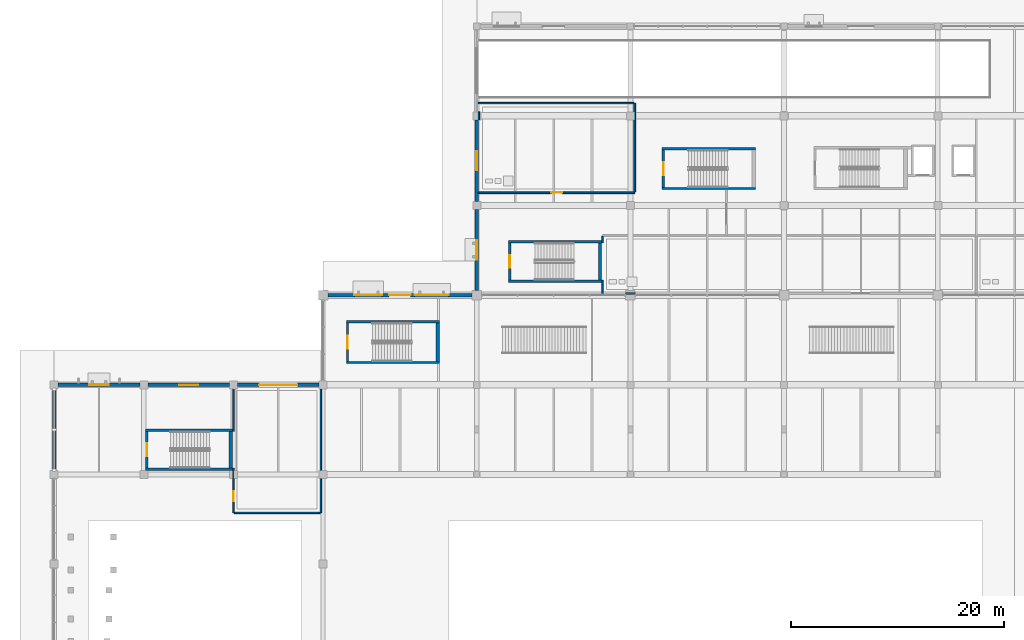
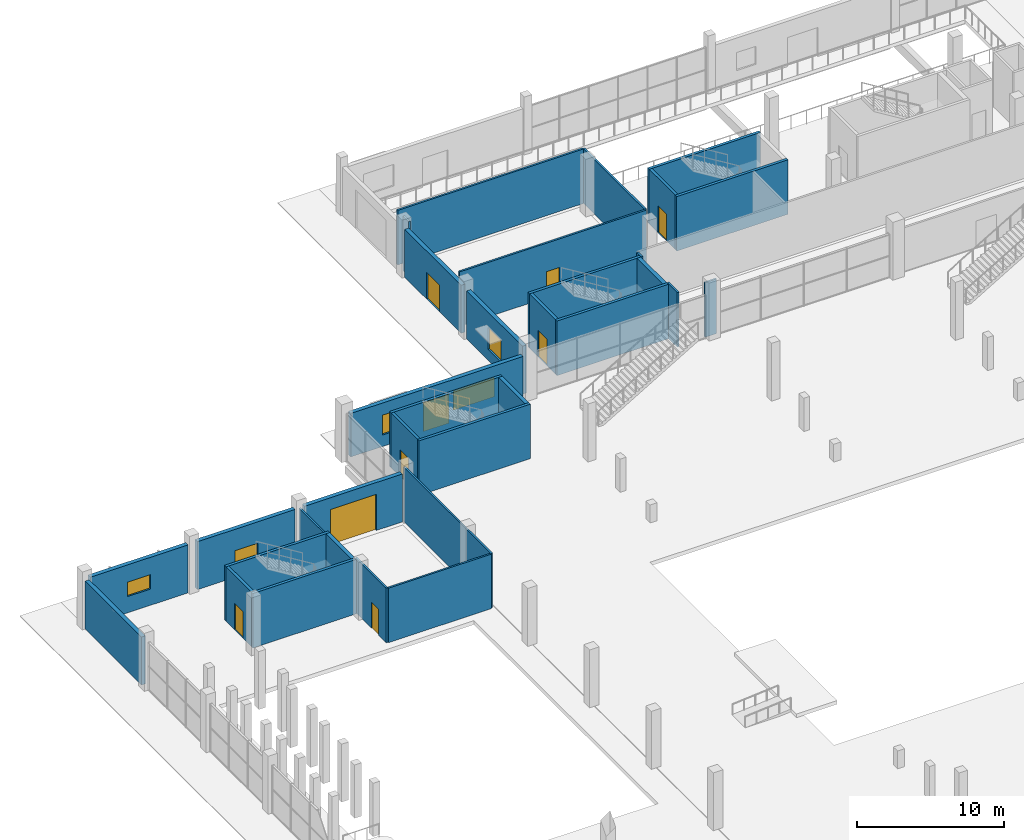
# One storey, part 93 of 130: 33 walls, 10 doors, 4 windows, 14 openings.
"""IFC4 building model written with IfcOpenShell, lengths in metres."""

from ifc_helpers import new_model, si_unit, direction, frame, frame_2d, origin, place, context, subcontext, project, spatial, rectangle, extrude, material, layer, layer_set, type_object, element, fill, save


model = new_model("IFC4")

# Units and contexts
model_context = context("Model", 3, precision=1e-05, world=origin(), true_north=direction((0.0, 1.0)))
body_context = subcontext(model_context, "Body", "Model", "MODEL_VIEW")
ifc_project = project(units=[si_unit("LENGTHUNIT", "METRE"), si_unit("AREAUNIT", "SQUARE_METRE"), si_unit("VOLUMEUNIT", "CUBIC_METRE"), si_unit("PLANEANGLEUNIT", "RADIAN"), si_unit("MASSUNIT", "GRAM", prefix="KILO"), si_unit("THERMODYNAMICTEMPERATUREUNIT", "KELVIN")], contexts=[model_context])

# Site, building, storey
site_placement = place(None, origin())
site = spatial("IfcSite", under=ifc_project, at=site_placement, CompositionType="ELEMENT")
building_placement = place(site_placement, origin())
building = spatial("IfcBuilding", under=site, at=building_placement, Name="Nduvali Passage Aquatics Centre", CompositionType="ELEMENT")
storey_placement = place(building_placement, origin())
storey = spatial("IfcBuildingStorey", under=building, at=storey_placement, Name="L00", CompositionType="ELEMENT", Elevation=0.0)

# Wall, opening, window
ifc_material_1 = material(Name="Coral-stone masonry blockwork", Category="masonry")
ifc_layer_1 = layer(ifc_material_1, 0.320068359375, Name="Coral-stone masonry blockwork")
ifc_layer_set_1 = layer_set([ifc_layer_1], Name="Coral-stone masonry blockwork")
wall_type_1 = type_object("IfcWallType", Name="ENV-WAL-CORAL320", PredefinedType="STANDARD", material=ifc_layer_set_1)
wall_1_placement = place(storey_placement, frame((8.02490234375, 84.0, 0.0), z_axis=(0.0, 0.0, 1.0), x_axis=(-1.0, 0.0, 0.0)))
wall_1 = element("IfcWall", 1, at=wall_1_placement, inside=storey, type_object=wall_type_1, Name="L00 Diving North Facade 0022", PredefinedType="STANDARD", context=body_context, shape_type="SweptSolid", body=[
    extrude(rectangle(XDim=7.64990234375, YDim=0.320068359375, at=frame_2d((3.824951171875, 0.0))), origin(), (0.0, 0.0, 1.0), 3.976318359375),
])
opening_1_placement = place(wall_1_placement, frame((2.925048828125, 0.0, 1.35009765625)))
opening_1 = element("IfcOpeningElement", 2, at=opening_1_placement, cuts=wall_1, Name="Opening W8", PredefinedType="OPENING", context=body_context, shape_type="SweptSolid", body=[
    extrude(rectangle(XDim=1.800048828125, YDim=1.199951171875, at=frame_2d((0.89990234375, 0.60009765625))), frame((0.0, 0.1748046875, 0.0), z_axis=(0.0, -1.0, 0.0), x_axis=(1.0, 0.0, 0.0)), (0.0, 0.0, 1.0), 0.349853515625),
])
ifc_material_2 = material(Name="Aluminium-framed solar-control low-E IGU", Category="aluminium")
window_type_1 = type_object("IfcWindowType", Name="ENV-WIN-W8", PartitioningType="SINGLE_PANEL", PredefinedType="WINDOW", material=ifc_material_2)
window_1_placement = place(opening_1_placement, origin())
window_1 = element("IfcWindow", 3, at=window_1_placement, inside=storey, type_object=window_type_1, Name="L00 Exterior Window W8-0036", OverallHeight=1.199951171875, OverallWidth=1.800048828125, PartitioningType="SINGLE_PANEL", PredefinedType="WINDOW", context=body_context, shape_type="SweptSolid", body=[
    extrude(rectangle(XDim=1.800048828125, YDim=1.199951171875, at=frame_2d((0.89990234375, 0.60009765625))), frame((0.0, 0.030029296875, 0.0), z_axis=(0.0, -1.0, 0.0), x_axis=(1.0, 0.0, 0.0)), (0.0, 0.0, 1.0), 0.06005859375),
])
fill(opening_1, window_1)

# Wall, opening, door
wall_2_placement = place(storey_placement, frame((16.425048828125, 84.0, 0.0), z_axis=(0.0, 0.0, 1.0), x_axis=(-1.0, 0.0, 0.0)))
wall_2 = element("IfcWall", 4, at=wall_2_placement, inside=storey, type_object=wall_type_1, Name="L00 Diving North Facade 0024", PredefinedType="STANDARD", context=body_context, shape_type="SweptSolid", body=[
    extrude(rectangle(XDim=7.650146484375, YDim=0.320068359375, at=frame_2d((3.8251953125, 0.0))), origin(), (0.0, 0.0, 1.0), 3.976318359375),
])
opening_2_placement = place(wall_2_placement, frame((2.925048828125, 0.0, 0.0)))
opening_2 = element("IfcOpeningElement", 5, at=opening_2_placement, cuts=wall_2, Name="Opening ED3", PredefinedType="OPENING", context=body_context, shape_type="SweptSolid", body=[
    extrude(rectangle(XDim=1.800048828125, YDim=2.199951171875, at=frame_2d((0.89990234375, 1.10009765625))), frame((0.0, 0.1748046875, 0.0), z_axis=(0.0, -1.0, 0.0), x_axis=(1.0, 0.0, 0.0)), (0.0, 0.0, 1.0), 0.349853515625),
])
ifc_material_3 = material(Name="Galvanised steel door", Category="steel")
door_type_1 = type_object("IfcDoorType", Name="ENV-DR-EX180", OperationType="DOUBLE_DOOR_SINGLE_SWING", PredefinedType="DOOR", material=ifc_material_3)
door_1_placement = place(opening_2_placement, frame((1.800048828125, 0.0, 0.0), z_axis=(0.0, 0.0, 1.0), x_axis=(-1.0, 0.0, 0.0)))
door_1 = element("IfcDoor", 6, at=door_1_placement, inside=storey, type_object=door_type_1, Name="L00 Exterior Exit Door ED3-006", OperationType="DOUBLE_DOOR_SINGLE_SWING", OverallHeight=2.199951171875, OverallWidth=1.800048828125, PredefinedType="DOOR", context=body_context, shape_type="SweptSolid", body=[
    extrude(rectangle(XDim=1.800048828125, YDim=2.199951171875, at=frame_2d((0.89990234375, 1.10009765625))), frame((0.0, 0.02490234375, 0.0), z_axis=(0.0, -1.0, 0.0), x_axis=(1.0, 0.0, 0.0)), (0.0, 0.0, 1.0), 0.050048828125),
])
fill(opening_2, door_1)

wall_3_placement = place(storey_placement, frame((24.824951171875, 84.0, 0.0), z_axis=(0.0, 0.0, 1.0), x_axis=(-1.0, 0.0, 0.0)))
wall_3 = element("IfcWall", 7, at=wall_3_placement, inside=storey, type_object=wall_type_1, Name="L00 Diving North Facade 0026", PredefinedType="STANDARD", context=body_context, shape_type="SweptSolid", body=[
    extrude(rectangle(XDim=7.64990234375, YDim=0.320068359375, at=frame_2d((3.824951171875, 0.0))), origin(), (0.0, 0.0, 1.0), 3.976318359375),
])
opening_3_placement = place(wall_3_placement, frame((2.02490234375, 0.0, 0.0)))
opening_3 = element("IfcOpeningElement", 8, at=opening_3_placement, cuts=wall_3, Name="Opening SG1", PredefinedType="OPENING", context=body_context, shape_type="SweptSolid", body=[
    extrude(rectangle(XDim=3.60009765625, YDim=3.0, at=frame_2d((1.800048828125, 1.5))), frame((0.0, 0.1748046875, 0.0), z_axis=(0.0, -1.0, 0.0), x_axis=(1.0, 0.0, 0.0)), (0.0, 0.0, 1.0), 0.349853515625),
])
ifc_material_4 = material(Name="Galvanised steel roller shutter", Category="steel")
door_type_2 = type_object("IfcDoorType", Name="ENV-GT-SG360", OperationType="ROLLINGUP", PredefinedType="GATE", material=ifc_material_4)
door_2_placement = place(opening_3_placement, frame((3.60009765625, 0.0, 0.0), z_axis=(0.0, 0.0, 1.0), x_axis=(-1.0, 0.0, 0.0)))
door_2 = element("IfcDoor", 9, at=door_2_placement, inside=storey, type_object=door_type_2, Name="L00 Exterior Exit Door SG1-007", OperationType="ROLLINGUP", OverallHeight=3.0, OverallWidth=3.60009765625, PredefinedType="GATE", context=body_context, shape_type="SweptSolid", body=[
    extrude(rectangle(XDim=3.60009765625, YDim=3.0, at=frame_2d((1.800048828125, 1.5))), frame((0.0, 0.02490234375, 0.0), z_axis=(0.0, -1.0, 0.0), x_axis=(1.0, 0.0, 0.0)), (0.0, 0.0, 1.0), 0.050048828125),
])
fill(opening_3, door_2)

# Wall
wall_4_placement = place(storey_placement, frame((0.0, 83.625, 0.0), z_axis=(0.0, 0.0, 1.0), x_axis=(0.0, -1.0, 0.0)))
element("IfcWall", 10, at=wall_4_placement, inside=storey, type_object=wall_type_1, Name="L00 Diving West Facade 0028", PredefinedType="STANDARD", context=body_context, shape_type="SweptSolid", body=[
    extrude(rectangle(XDim=7.64990234375, YDim=0.320068359375, at=frame_2d((3.824951171875, 0.0))), origin(), (0.0, 0.0, 1.0), 3.976318359375),
])

# Wall, openings, door, windows
wall_5_placement = place(storey_placement, frame((39.14990234375, 92.39990234375, 0.0), z_axis=(0.0, 0.0, 1.0), x_axis=(-1.0, 0.0, 0.0)))
wall_5 = element("IfcWall", 11, at=wall_5_placement, inside=storey, type_object=wall_type_1, Name="L00 External Coral-Stone Wall 0046", PredefinedType="STANDARD", context=body_context, shape_type="SweptSolid", body=[
    extrude(rectangle(XDim=13.5, YDim=0.320068359375, at=frame_2d((6.75, 0.0))), origin(), (0.0, 0.0, 1.0), 3.605712890625),
])
opening_4_placement = place(wall_5_placement, frame((5.75, 0.0, 0.0)))
opening_4 = element("IfcOpeningElement", 12, at=opening_4_placement, cuts=wall_5, Name="Opening ED2", PredefinedType="OPENING", context=body_context, shape_type="SweptSolid", body=[
    extrude(rectangle(XDim=2.0, YDim=2.39990234375, at=frame_2d((1.0, 1.199951171875))), frame((0.0, 0.1748046875, 0.0), z_axis=(0.0, -1.0, 0.0), x_axis=(1.0, 0.0, 0.0)), (0.0, 0.0, 1.0), 0.349853515625),
])
opening_5_placement = place(wall_5_placement, frame((2.179931640625, 0.0, 0.949951171875)))
opening_5 = element("IfcOpeningElement", 13, at=opening_5_placement, cuts=wall_5, Name="Opening W10", PredefinedType="OPENING", context=body_context, shape_type="SweptSolid", body=[
    extrude(rectangle(XDim=3.199951171875, YDim=1.60009765625, at=frame_2d((1.60009765625, 0.800048828125))), frame((0.0, 0.1748046875, 0.0), z_axis=(0.0, -1.0, 0.0), x_axis=(1.0, 0.0, 0.0)), (0.0, 0.0, 1.0), 0.349853515625),
])
opening_6_placement = place(wall_5_placement, frame((8.419921875, 0.0, 0.949951171875)))
opening_6 = element("IfcOpeningElement", 14, at=opening_6_placement, cuts=wall_5, Name="Opening W17", PredefinedType="OPENING", context=body_context, shape_type="SweptSolid", body=[
    extrude(rectangle(XDim=2.60009765625, YDim=1.64990234375, at=frame_2d((1.300048828125, 0.824951171875))), frame((0.0, 0.1748046875, 0.0), z_axis=(0.0, -1.0, 0.0), x_axis=(1.0, 0.0, 0.0)), (0.0, 0.0, 1.0), 0.349853515625),
])
ifc_material_5 = material(Name="Aluminium-framed glazed door", Category="aluminium")
door_type_3 = type_object("IfcDoorType", Name="ENV-DR-EX200", OperationType="DOUBLE_DOOR_SINGLE_SWING", PredefinedType="DOOR", material=ifc_material_5)
door_3_placement = place(opening_4_placement, frame((2.0, 0.0, 0.0), z_axis=(0.0, 0.0, 1.0), x_axis=(-1.0, 0.0, 0.0)))
door_3 = element("IfcDoor", 15, at=door_3_placement, inside=storey, type_object=door_type_3, Name="L00 Exterior Exit Door ED2-009", OperationType="DOUBLE_DOOR_SINGLE_SWING", OverallHeight=2.39990234375, OverallWidth=2.0, PredefinedType="DOOR", context=body_context, shape_type="SweptSolid", body=[
    extrude(rectangle(XDim=2.0, YDim=2.39990234375, at=frame_2d((1.0, 1.199951171875))), frame((0.0, 0.02490234375, 0.0), z_axis=(0.0, -1.0, 0.0), x_axis=(1.0, 0.0, 0.0)), (0.0, 0.0, 1.0), 0.050048828125),
])
fill(opening_4, door_3)
window_type_2 = type_object("IfcWindowType", Name="ENV-WIN-W10", PartitioningType="SINGLE_PANEL", PredefinedType="WINDOW", material=ifc_material_2)
window_2_placement = place(opening_5_placement, origin())
window_2 = element("IfcWindow", 16, at=window_2_placement, inside=storey, type_object=window_type_2, Name="L00 Exterior Window W10-0052", OverallHeight=1.60009765625, OverallWidth=3.199951171875, PartitioningType="SINGLE_PANEL", PredefinedType="WINDOW", context=body_context, shape_type="SweptSolid", body=[
    extrude(rectangle(XDim=3.199951171875, YDim=1.60009765625, at=frame_2d((1.60009765625, 0.800048828125))), frame((0.0, 0.030029296875, 0.0), z_axis=(0.0, -1.0, 0.0), x_axis=(1.0, 0.0, 0.0)), (0.0, 0.0, 1.0), 0.06005859375),
])
fill(opening_5, window_2)
window_type_3 = type_object("IfcWindowType", Name="ENV-WIN-W17", PartitioningType="SINGLE_PANEL", PredefinedType="WINDOW", material=ifc_material_2)
window_3_placement = place(opening_6_placement, origin())
window_3 = element("IfcWindow", 17, at=window_3_placement, inside=storey, type_object=window_type_3, Name="L00 Exterior Window W17-0053", OverallHeight=1.64990234375, OverallWidth=2.60009765625, PartitioningType="SINGLE_PANEL", PredefinedType="WINDOW", context=body_context, shape_type="SweptSolid", body=[
    extrude(rectangle(XDim=2.60009765625, YDim=1.64990234375, at=frame_2d((1.300048828125, 0.824951171875))), frame((0.0, 0.030029296875, 0.0), z_axis=(0.0, -1.0, 0.0), x_axis=(1.0, 0.0, 0.0)), (0.0, 0.0, 1.0), 0.06005859375),
])
fill(opening_6, window_3)

# Wall, opening, window
wall_6_placement = place(storey_placement, frame((39.60009765625, 100.425048828125, 0.0), z_axis=(0.0, 0.0, 1.0), x_axis=(0.0, -1.0, 0.0)))
wall_6 = element("IfcWall", 18, at=wall_6_placement, inside=storey, type_object=wall_type_1, Name="L00 North Wing West Stepped Facade 0054", PredefinedType="STANDARD", context=body_context, shape_type="SweptSolid", body=[
    extrude(rectangle(XDim=7.574951171875, YDim=0.320068359375, at=frame_2d((3.78759765625, 0.0))), origin(), (0.0, 0.0, 1.0), 3.976318359375),
])
opening_7_placement = place(wall_6_placement, frame((2.887939453125, 0.0, 0.89990234375)))
opening_7 = element("IfcOpeningElement", 19, at=opening_7_placement, cuts=wall_6, Name="Opening W2", PredefinedType="OPENING", context=body_context, shape_type="SweptSolid", body=[
    extrude(rectangle(XDim=1.800048828125, YDim=1.800048828125, at=frame_2d((0.89990234375, 0.89990234375))), frame((0.0, 0.1748046875, 0.0), z_axis=(0.0, -1.0, 0.0), x_axis=(1.0, 0.0, 0.0)), (0.0, 0.0, 1.0), 0.349853515625),
])
window_type_4 = type_object("IfcWindowType", Name="ENV-WIN-W2", PartitioningType="SINGLE_PANEL", PredefinedType="WINDOW", material=ifc_material_2)
window_4_placement = place(opening_7_placement, origin())
window_4 = element("IfcWindow", 20, at=window_4_placement, inside=storey, type_object=window_type_4, Name="L00 Exterior Window W2-0058", OverallHeight=1.800048828125, OverallWidth=1.800048828125, PartitioningType="SINGLE_PANEL", PredefinedType="WINDOW", context=body_context, shape_type="SweptSolid", body=[
    extrude(rectangle(XDim=1.800048828125, YDim=1.800048828125, at=frame_2d((0.89990234375, 0.89990234375))), frame((0.0, 0.030029296875, 0.0), z_axis=(0.0, -1.0, 0.0), x_axis=(1.0, 0.0, 0.0)), (0.0, 0.0, 1.0), 0.06005859375),
])
fill(opening_7, window_4)

# Wall, opening, door
wall_7_placement = place(storey_placement, frame((39.60009765625, 108.824951171875, 0.0), z_axis=(0.0, 0.0, 1.0), x_axis=(0.0, -1.0, 0.0)))
wall_7 = element("IfcWall", 21, at=wall_7_placement, inside=storey, type_object=wall_type_1, Name="L00 North Wing West Stepped Facade 0055", PredefinedType="STANDARD", context=body_context, shape_type="SweptSolid", body=[
    extrude(rectangle(XDim=7.64990234375, YDim=0.320068359375, at=frame_2d((3.824951171875, 0.0))), origin(), (0.0, 0.0, 1.0), 3.976318359375),
])
opening_8_placement = place(wall_7_placement, frame((2.925048828125, 0.0, 0.0)))
opening_8 = element("IfcOpeningElement", 22, at=opening_8_placement, cuts=wall_7, Name="Opening ED3", PredefinedType="OPENING", context=body_context, shape_type="SweptSolid", body=[
    extrude(rectangle(XDim=1.800048828125, YDim=2.199951171875, at=frame_2d((0.89990234375, 1.10009765625))), frame((0.0, 0.1748046875, 0.0), z_axis=(0.0, -1.0, 0.0), x_axis=(1.0, 0.0, 0.0)), (0.0, 0.0, 1.0), 0.349853515625),
])
door_4_placement = place(opening_8_placement, frame((1.800048828125, 0.0, 0.0), z_axis=(0.0, 0.0, 1.0), x_axis=(-1.0, 0.0, 0.0)))
door_4 = element("IfcDoor", 23, at=door_4_placement, inside=storey, type_object=door_type_1, Name="L00 Exterior Exit Door ED3-016", OperationType="DOUBLE_DOOR_SINGLE_SWING", OverallHeight=2.199951171875, OverallWidth=1.800048828125, PredefinedType="DOOR", context=body_context, shape_type="SweptSolid", body=[
    extrude(rectangle(XDim=1.800048828125, YDim=2.199951171875, at=frame_2d((0.89990234375, 1.10009765625))), frame((0.0, 0.02490234375, 0.0), z_axis=(0.0, -1.0, 0.0), x_axis=(1.0, 0.0, 0.0)), (0.0, 0.0, 1.0), 0.050048828125),
])
fill(opening_8, door_4)

# Walls
ifc_material_6 = material(Name="Concrete C40/50", Category="concrete")
ifc_layer_2 = layer(ifc_material_6, 0.219970703125, Name="Concrete C40/50")
ifc_layer_set_2 = layer_set([ifc_layer_2], Name="Concrete C40/50")
wall_type_2 = type_object("IfcWallType", Name="INT-WAL-CORE220", PredefinedType="SOLIDWALL", material=ifc_layer_set_2)
for number, where, z_axis, x_axis, name in (
    (24, (56.97998046875, 102.389892578125, 0.0), (0.0, 0.0, 1.0), (1.0, 0.0, 0.0), "L00 Stair ST3 Core Wall S"),
    (25, (65.699951171875, 106.1201171875, 0.0), (0.0, 0.0, 1.0), (-1.0, 0.0, 0.0), "L00 Stair ST3 Core Wall N"),
):
    element("IfcWall", number, at=place(storey_placement, frame(where, z_axis=z_axis, x_axis=x_axis)), inside=storey, type_object=wall_type_2, Name=name, PredefinedType="SOLIDWALL", context=body_context, shape_type="SweptSolid", body=[
        extrude(rectangle(XDim=8.719970703125, YDim=0.219970703125, at=frame_2d((4.35986328125, 0.0))), origin(), (0.0, 0.0, 1.0), 4.52001953125),
    ])

# Wall, opening, door
wall_8_placement = place(storey_placement, frame((57.090087890625, 106.010009765625, 0.0), z_axis=(0.0, 0.0, 1.0), x_axis=(0.0, -1.0, 0.0)))
wall_8 = element("IfcWall", 26, at=wall_8_placement, inside=storey, type_object=wall_type_2, Name="L00 Stair ST3 Core Wall W", PredefinedType="SOLIDWALL", context=body_context, shape_type="SweptSolid", body=[
    extrude(rectangle(XDim=3.510009765625, YDim=0.219970703125, at=frame_2d((1.7548828125, 0.0))), origin(), (0.0, 0.0, 1.0), 4.52001953125),
])
opening_9_placement = place(wall_8_placement, frame((1.155029296875, 0.0, 0.0)))
opening_9 = element("IfcOpeningElement", 27, at=opening_9_placement, cuts=wall_8, Name="Opening FD-ST2", PredefinedType="OPENING", context=body_context, shape_type="SweptSolid", body=[
    extrude(rectangle(XDim=1.199951171875, YDim=2.199951171875, at=frame_2d((0.60009765625, 1.10009765625))), frame((0.0, 0.125, 0.0), z_axis=(0.0, -1.0, 0.0), x_axis=(1.0, 0.0, 0.0)), (0.0, 0.0, 1.0), 0.249755859375),
])
door_type_4 = type_object("IfcDoorType", Name="INT-DR-ST120", OperationType="NOTDEFINED", PredefinedType="DOOR", material=ifc_material_3)
door_5_placement = place(opening_9_placement, origin())
door_5 = element("IfcDoor", 28, at=door_5_placement, inside=storey, type_object=door_type_4, Name="L00 Stair ST3 Fire Lobby Door", OperationType="SINGLE_SWING_RIGHT", OverallHeight=2.199951171875, OverallWidth=1.199951171875, PredefinedType="DOOR", context=body_context, shape_type="SweptSolid", body=[
    extrude(rectangle(XDim=1.199951171875, YDim=2.199951171875, at=frame_2d((0.60009765625, 1.10009765625))), frame((0.0, 0.02490234375, 0.0), z_axis=(0.0, -1.0, 0.0), x_axis=(1.0, 0.0, 0.0)), (0.0, 0.0, 1.0), 0.050048828125),
])
fill(opening_9, door_5)

# Walls
for number, where, z_axis, x_axis, name in (
    (29, (42.580078125, 93.68994140625, 0.0), (0.0, 0.0, 1.0), (1.0, 0.0, 0.0), "L00 Stair ST4 Core Wall S"),
    (30, (51.300048828125, 97.419921875, 0.0), (0.0, 0.0, 1.0), (-1.0, 0.0, 0.0), "L00 Stair ST4 Core Wall N"),
):
    element("IfcWall", number, at=place(storey_placement, frame(where, z_axis=z_axis, x_axis=x_axis)), inside=storey, type_object=wall_type_2, Name=name, PredefinedType="SOLIDWALL", context=body_context, shape_type="SweptSolid", body=[
        extrude(rectangle(XDim=8.719970703125, YDim=0.219970703125, at=frame_2d((4.35986328125, 0.0))), origin(), (0.0, 0.0, 1.0), 4.52001953125),
    ])

# Wall, opening, door
wall_9_placement = place(storey_placement, frame((42.68994140625, 97.31005859375, 0.0), z_axis=(0.0, 0.0, 1.0), x_axis=(0.0, -1.0, 0.0)))
wall_9 = element("IfcWall", 31, at=wall_9_placement, inside=storey, type_object=wall_type_2, Name="L00 Stair ST4 Core Wall W", PredefinedType="SOLIDWALL", context=body_context, shape_type="SweptSolid", body=[
    extrude(rectangle(XDim=3.510009765625, YDim=0.219970703125, at=frame_2d((1.7548828125, 0.0))), origin(), (0.0, 0.0, 1.0), 4.52001953125),
])
opening_10_placement = place(wall_9_placement, frame((1.155029296875, 0.0, 0.0)))
opening_10 = element("IfcOpeningElement", 32, at=opening_10_placement, cuts=wall_9, Name="Opening FD-ST2", PredefinedType="OPENING", context=body_context, shape_type="SweptSolid", body=[
    extrude(rectangle(XDim=1.199951171875, YDim=2.199951171875, at=frame_2d((0.60009765625, 1.10009765625))), frame((0.0, 0.125, 0.0), z_axis=(0.0, -1.0, 0.0), x_axis=(1.0, 0.0, 0.0)), (0.0, 0.0, 1.0), 0.249755859375),
])
door_6_placement = place(opening_10_placement, origin())
door_6 = element("IfcDoor", 33, at=door_6_placement, inside=storey, type_object=door_type_4, Name="L00 Stair ST4 Fire Lobby Door", OperationType="SINGLE_SWING_RIGHT", OverallHeight=2.199951171875, OverallWidth=1.199951171875, PredefinedType="DOOR", context=body_context, shape_type="SweptSolid", body=[
    extrude(rectangle(XDim=1.199951171875, YDim=2.199951171875, at=frame_2d((0.60009765625, 1.10009765625))), frame((0.0, 0.02490234375, 0.0), z_axis=(0.0, -1.0, 0.0), x_axis=(1.0, 0.0, 0.0)), (0.0, 0.0, 1.0), 0.050048828125),
])
fill(opening_10, door_6)

# Walls
for number, where, z_axis, x_axis, name in (
    (34, (27.3798828125, 86.090087890625, 0.0), (0.0, 0.0, 1.0), (1.0, 0.0, 0.0), "L00 Stair ST10 Core Wall S"),
    (35, (36.10009765625, 89.89990234375, 0.0), (0.0, 0.0, 1.0), (-1.0, 0.0, 0.0), "L00 Stair ST10 Core Wall N"),
):
    element("IfcWall", number, at=place(storey_placement, frame(where, z_axis=z_axis, x_axis=x_axis)), inside=storey, type_object=wall_type_2, Name=name, PredefinedType="SOLIDWALL", context=body_context, shape_type="SweptSolid", body=[
        extrude(rectangle(XDim=8.72021484375, YDim=0.219970703125, at=frame_2d((4.360107421875, 0.0))), origin(), (0.0, 0.0, 1.0), 4.52001953125),
    ])

# Wall, opening, door
wall_10_placement = place(storey_placement, frame((27.489990234375, 89.7900390625, 0.0), z_axis=(0.0, 0.0, 1.0), x_axis=(0.0, -1.0, 0.0)))
wall_10 = element("IfcWall", 36, at=wall_10_placement, inside=storey, type_object=wall_type_2, Name="L00 Stair ST10 Core Wall W", PredefinedType="SOLIDWALL", context=body_context, shape_type="SweptSolid", body=[
    extrude(rectangle(XDim=3.590087890625, YDim=0.219970703125, at=frame_2d((1.794921875, 0.0))), origin(), (0.0, 0.0, 1.0), 4.52001953125),
])
opening_11_placement = place(wall_10_placement, frame((1.195068359375, 0.0, 0.0)))
opening_11 = element("IfcOpeningElement", 37, at=opening_11_placement, cuts=wall_10, Name="Opening FD-ST2", PredefinedType="OPENING", context=body_context, shape_type="SweptSolid", body=[
    extrude(rectangle(XDim=1.199951171875, YDim=2.199951171875, at=frame_2d((0.60009765625, 1.10009765625))), frame((0.0, 0.125, 0.0), z_axis=(0.0, -1.0, 0.0), x_axis=(1.0, 0.0, 0.0)), (0.0, 0.0, 1.0), 0.249755859375),
])
door_7_placement = place(opening_11_placement, origin())
door_7 = element("IfcDoor", 38, at=door_7_placement, inside=storey, type_object=door_type_4, Name="L00 Stair ST10 Fire Lobby Door", OperationType="SINGLE_SWING_LEFT", OverallHeight=2.199951171875, OverallWidth=1.199951171875, PredefinedType="DOOR", context=body_context, shape_type="SweptSolid", body=[
    extrude(rectangle(XDim=1.199951171875, YDim=2.199951171875, at=frame_2d((0.60009765625, 1.10009765625))), frame((0.0, 0.02490234375, 0.0), z_axis=(0.0, -1.0, 0.0), x_axis=(1.0, 0.0, 0.0)), (0.0, 0.0, 1.0), 0.050048828125),
])
fill(opening_11, door_7)

# Walls
for number, where, z_axis, x_axis, name in (
    (39, (8.580078125, 76.090087890625, 0.0), (0.0, 0.0, 1.0), (1.0, 0.0, 0.0), "L00 Stair ST12 Core Wall S"),
    (40, (16.699951171875, 79.739990234375, 0.0), (0.0, 0.0, 1.0), (-1.0, 0.0, 0.0), "L00 Stair ST12 Core Wall N"),
):
    element("IfcWall", number, at=place(storey_placement, frame(where, z_axis=z_axis, x_axis=x_axis)), inside=storey, type_object=wall_type_2, Name=name, PredefinedType="SOLIDWALL", context=body_context, shape_type="SweptSolid", body=[
        extrude(rectangle(XDim=8.119873046875, YDim=0.219970703125, at=frame_2d((4.06005859375, 0.0))), origin(), (0.0, 0.0, 1.0), 4.52001953125),
    ])

# Wall, opening, door
wall_11_placement = place(storey_placement, frame((8.68994140625, 79.6298828125, 0.0), z_axis=(0.0, 0.0, 1.0), x_axis=(0.0, -1.0, 0.0)))
wall_11 = element("IfcWall", 41, at=wall_11_placement, inside=storey, type_object=wall_type_2, Name="L00 Stair ST12 Core Wall W", PredefinedType="SOLIDWALL", context=body_context, shape_type="SweptSolid", body=[
    extrude(rectangle(XDim=3.429931640625, YDim=0.219970703125, at=frame_2d((1.71484375, 0.0))), origin(), (0.0, 0.0, 1.0), 4.52001953125),
])
opening_12_placement = place(wall_11_placement, frame((1.114990234375, 0.0, 0.0)))
opening_12 = element("IfcOpeningElement", 42, at=opening_12_placement, cuts=wall_11, Name="Opening FD-ST2", PredefinedType="OPENING", context=body_context, shape_type="SweptSolid", body=[
    extrude(rectangle(XDim=1.199951171875, YDim=2.199951171875, at=frame_2d((0.60009765625, 1.10009765625))), frame((0.0, 0.125, 0.0), z_axis=(0.0, -1.0, 0.0), x_axis=(1.0, 0.0, 0.0)), (0.0, 0.0, 1.0), 0.249755859375),
])
door_8_placement = place(opening_12_placement, origin())
door_8 = element("IfcDoor", 43, at=door_8_placement, inside=storey, type_object=door_type_4, Name="L00 Stair ST12 Fire Lobby Door", OperationType="SINGLE_SWING_LEFT", OverallHeight=2.199951171875, OverallWidth=1.199951171875, PredefinedType="DOOR", context=body_context, shape_type="SweptSolid", body=[
    extrude(rectangle(XDim=1.199951171875, YDim=2.199951171875, at=frame_2d((0.60009765625, 1.10009765625))), frame((0.0, 0.02490234375, 0.0), z_axis=(0.0, -1.0, 0.0), x_axis=(1.0, 0.0, 0.0)), (0.0, 0.0, 1.0), 0.050048828125),
])
fill(opening_12, door_8)

ifc_material_7 = material(Name="Gypsum acoustic stud partition")
ifc_layer_3 = layer(ifc_material_7, 0.139892578125, Name="Gypsum acoustic stud partition")
ifc_layer_set_3 = layer_set([ifc_layer_3], Name="Gypsum acoustic stud partition")
wall_type_3 = type_object("IfcWallType", Name="INT-WAL-PART140", PredefinedType="PARTITIONING", material=ifc_layer_set_3)
wall_12_placement = place(storey_placement, frame((16.800048828125, 72.0, 0.0), z_axis=(0.0, 0.0, 1.0), x_axis=(0.0, 1.0, 0.0)))
wall_12 = element("IfcWall", 44, at=wall_12_placement, inside=storey, type_object=wall_type_3, Name="L00 Dryland Dive Trampoline and Harness Training Room Partition 0039", PredefinedType="PARTITIONING", context=body_context, shape_type="SweptSolid", body=[
    extrude(rectangle(XDim=4.199951171875, YDim=0.139892578125, at=frame_2d((2.10009765625, 0.0))), origin(), (0.0, 0.0, 1.0), 4.52001953125),
])
opening_13_placement = place(wall_12_placement, frame((1.076904296875, 0.0, 0.0)))
opening_13 = element("IfcOpeningElement", 45, at=opening_13_placement, cuts=wall_12, Name="Opening ID2", PredefinedType="OPENING", context=body_context, shape_type="SweptSolid", body=[
    extrude(rectangle(XDim=0.949951171875, YDim=2.14990234375, at=frame_2d((0.47509765625, 1.074951171875))), frame((0.0, 0.0849609375, 0.0), z_axis=(0.0, -1.0, 0.0), x_axis=(1.0, 0.0, 0.0)), (0.0, 0.0, 1.0), 0.169677734375),
])
ifc_material_8 = material(Name="Timber solid-core door", Category="wood")
door_type_5 = type_object("IfcDoorType", Name="INT-DR-STD95", OperationType="NOTDEFINED", PredefinedType="DOOR", material=ifc_material_8)
door_9_placement = place(opening_13_placement, origin())
door_9 = element("IfcDoor", 46, at=door_9_placement, inside=storey, type_object=door_type_5, Name="L00 Dryland Dive Trampoline and Harness Training Room Door 0014", OperationType="SINGLE_SWING_LEFT", OverallHeight=2.14990234375, OverallWidth=0.949951171875, PredefinedType="DOOR", context=body_context, shape_type="SweptSolid", body=[
    extrude(rectangle(XDim=0.949951171875, YDim=2.14990234375, at=frame_2d((0.47509765625, 1.074951171875))), frame((0.0, 0.02490234375, 0.0), z_axis=(0.0, -1.0, 0.0), x_axis=(1.0, 0.0, 0.0)), (0.0, 0.0, 1.0), 0.050048828125),
])
fill(opening_13, door_9)

# Walls
wall_13_placement = place(storey_placement, frame((16.800048828125, 79.6298828125, 0.0), z_axis=(0.0, 0.0, 1.0), x_axis=(0.0, 1.0, 0.0)))
element("IfcWall", 47, at=wall_13_placement, inside=storey, type_object=wall_type_3, Name="L00 Dryland Dive Trampoline and Harness Training Room Partition 0040", PredefinedType="PARTITIONING", context=body_context, shape_type="SweptSolid", body=[
    extrude(rectangle(XDim=4.210205078125, YDim=0.139892578125, at=frame_2d((2.10498046875, 0.0))), origin(), (0.0, 0.0, 1.0), 3.976318359375),
])
wall_14_placement = place(storey_placement, frame((25.0, 72.0, 0.0), z_axis=(0.0, 0.0, 1.0), x_axis=(0.0, 1.0, 0.0)))
element("IfcWall", 48, at=wall_14_placement, inside=storey, type_object=wall_type_3, Name="L00 Dryland Dive Trampoline and Harness Training Room Partition 0041", PredefinedType="PARTITIONING", context=body_context, shape_type="SweptSolid", body=[
    extrude(rectangle(XDim=11.840087890625, YDim=0.139892578125, at=frame_2d((5.919921875, 0.0))), origin(), (0.0, 0.0, 1.0), 4.52001953125),
])
wall_15_placement = place(storey_placement, frame((16.8701171875, 72.0, 0.0), z_axis=(0.0, 0.0, 1.0), x_axis=(1.0, 0.0, 0.0)))
element("IfcWall", 49, at=wall_15_placement, inside=storey, type_object=wall_type_3, Name="L00 Dryland Dive Trampoline and Harness Training Room Partition 0042", PredefinedType="PARTITIONING", context=body_context, shape_type="SweptSolid", body=[
    extrude(rectangle(XDim=8.059814453125, YDim=0.139892578125, at=frame_2d((4.02978515625, 0.0))), origin(), (0.0, 0.0, 1.0), 4.52001953125),
])
ifc_layer_4 = layer(ifc_material_1, 0.14990234375, Name="Coral-stone masonry blockwork")
ifc_layer_set_4 = layer_set([ifc_layer_4], Name="Coral-stone masonry blockwork")
wall_type_4 = type_object("IfcWallType", Name="INT-WAL-WET150", PredefinedType="PLUMBINGWALL", material=ifc_layer_set_4)
wall_16_placement = place(storey_placement, frame((53.550048828125, 92.56005859375, 0.0), z_axis=(0.0, 0.0, 1.0), x_axis=(1.0, 0.0, 0.0)))
element("IfcWall", 50, at=wall_16_placement, inside=storey, type_object=wall_type_4, Name="L00 Warm Hydrotherapy Pool Hall Partition 0069", PredefinedType="PLUMBINGWALL", context=body_context, shape_type="SweptSolid", body=[
    extrude(rectangle(XDim=0.89990234375, YDim=0.14990234375, at=frame_2d((0.449951171875, 0.0))), origin(), (0.0, 0.0, 1.0), 4.52001953125),
])
wall_17_placement = place(storey_placement, frame((51.39990234375, 92.419921875, 0.0), z_axis=(0.0, 0.0, 1.0), x_axis=(0.0, 1.0, 0.0)))
element("IfcWall", 51, at=wall_17_placement, inside=storey, type_object=wall_type_4, Name="L00 Warm Hydrotherapy Pool Hall Partition 0072", PredefinedType="PLUMBINGWALL", context=body_context, shape_type="SweptSolid", body=[
    extrude(rectangle(XDim=1.380126953125, YDim=0.14990234375, at=frame_2d((0.68994140625, 0.0))), origin(), (0.0, 0.0, 1.0), 4.52001953125),
])
wall_18_placement = place(storey_placement, frame((51.39990234375, 97.31005859375, 0.0), z_axis=(0.0, 0.0, 1.0), x_axis=(0.0, 1.0, 0.0)))
element("IfcWall", 52, at=wall_18_placement, inside=storey, type_object=wall_type_4, Name="L00 Warm Hydrotherapy Pool Hall Partition 0073", PredefinedType="PLUMBINGWALL", context=body_context, shape_type="SweptSolid", body=[
    extrude(rectangle(XDim=0.614990234375, YDim=0.14990234375, at=frame_2d((0.3076171875, 0.0))), origin(), (0.0, 0.0, 1.0), 4.52001953125),
])

# Wall, opening, door
wall_19_placement = place(storey_placement, frame((39.760009765625, 102.0, 0.0), z_axis=(0.0, 0.0, 1.0), x_axis=(1.0, 0.0, 0.0)))
wall_19 = element("IfcWall", 53, at=wall_19_placement, inside=storey, type_object=wall_type_4, Name="L00 Hydrotherapy Accessible Changing and Shower Room Partition 0075", PredefinedType="PLUMBINGWALL", context=body_context, shape_type="SweptSolid", body=[
    extrude(rectangle(XDim=14.639892578125, YDim=0.14990234375, at=frame_2d((7.31982421875, 0.0))), origin(), (0.0, 0.0, 1.0), 4.52001953125),
])
opening_14_placement = place(wall_19_placement, frame((6.81005859375, 0.0, 0.0)))
opening_14 = element("IfcOpeningElement", 54, at=opening_14_placement, cuts=wall_19, Name="Opening ID1", PredefinedType="OPENING", context=body_context, shape_type="SweptSolid", body=[
    extrude(rectangle(XDim=1.02001953125, YDim=2.14990234375, at=frame_2d((0.510009765625, 1.074951171875))), frame((0.0, 0.08984375, 0.0), z_axis=(0.0, -1.0, 0.0), x_axis=(1.0, 0.0, 0.0)), (0.0, 0.0, 1.0), 0.1796875),
])
door_type_6 = type_object("IfcDoorType", Name="INT-DR-STD100", OperationType="NOTDEFINED", PredefinedType="DOOR", material=ifc_material_8)
door_10_placement = place(opening_14_placement, frame((1.02001953125, 0.0, 0.0), z_axis=(0.0, 0.0, 1.0), x_axis=(-1.0, 0.0, 0.0)))
door_10 = element("IfcDoor", 55, at=door_10_placement, inside=storey, type_object=door_type_6, Name="L00 Hydrotherapy Accessible Changing and Shower Room Door 0025", OperationType="SINGLE_SWING_RIGHT", OverallHeight=2.14990234375, OverallWidth=1.02001953125, PredefinedType="DOOR", context=body_context, shape_type="SweptSolid", body=[
    extrude(rectangle(XDim=1.02001953125, YDim=2.14990234375, at=frame_2d((0.510009765625, 1.074951171875))), frame((0.0, 0.02490234375, 0.0), z_axis=(0.0, -1.0, 0.0), x_axis=(1.0, 0.0, 0.0)), (0.0, 0.0, 1.0), 0.050048828125),
])
fill(opening_14, door_10)

# Walls
wall_20_placement = place(storey_placement, frame((54.39990234375, 102.074951171875, 0.0), z_axis=(0.0, 0.0, 1.0), x_axis=(0.0, 1.0, 0.0)))
element("IfcWall", 56, at=wall_20_placement, inside=storey, type_object=wall_type_4, Name="L00 Hydrotherapy Accessible Changing and Shower Room Partition 0076", PredefinedType="PLUMBINGWALL", context=body_context, shape_type="SweptSolid", body=[
    extrude(rectangle(XDim=8.324951171875, YDim=0.14990234375, at=frame_2d((4.16259765625, 0.0))), origin(), (0.0, 0.0, 1.0), 4.52001953125),
])
wall_21_placement = place(storey_placement, frame((39.760009765625, 110.39990234375, 0.0), z_axis=(0.0, 0.0, 1.0), x_axis=(1.0, 0.0, 0.0)))
element("IfcWall", 57, at=wall_21_placement, inside=storey, type_object=wall_type_4, Name="L00 Hydrotherapy Accessible Changing and Shower Room Partition 0077", PredefinedType="PLUMBINGWALL", context=body_context, shape_type="SweptSolid", body=[
    extrude(rectangle(XDim=14.56494140625, YDim=0.14990234375, at=frame_2d((7.282470703125, 0.0))), origin(), (0.0, 0.0, 1.0), 4.52001953125),
])
wall_22_placement = place(storey_placement, frame((39.800048828125, 108.824951171875, 0.0), z_axis=(0.0, 0.0, 1.0), x_axis=(0.0, 1.0, 0.0)))
element("IfcWall", 58, at=wall_22_placement, inside=storey, type_object=wall_type_4, Name="L00 Hydrotherapy Accessible Changing and Shower Room Partition 0078", PredefinedType="PLUMBINGWALL", context=body_context, shape_type="SweptSolid", body=[
    extrude(rectangle(XDim=0.75, YDim=0.14990234375, at=frame_2d((0.375, 0.0))), origin(), (0.0, 0.0, 1.0), 4.52001953125),
])
ifc_layer_5 = layer(ifc_material_6, 0.300048828125, Name="Concrete C40/50")
ifc_layer_set_5 = layer_set([ifc_layer_5], Name="Concrete C40/50")
wall_type_5 = type_object("IfcWallType", Name="STR-WAL-SHR300", PredefinedType="SHEAR", material=ifc_layer_set_5)
wall_23_placement = place(storey_placement, frame((51.14990234375, 93.800048828125, 0.0), z_axis=(0.0, 0.0, 1.0), x_axis=(0.0, 1.0, 0.0)))
element("IfcWall", 59, at=wall_23_placement, inside=storey, type_object=wall_type_5, Name="L00 Stair ST4 Core Shear Wall E", PredefinedType="SHEAR", context=body_context, shape_type="SweptSolid", body=[
    extrude(rectangle(XDim=3.510009765625, YDim=0.300048828125, at=frame_2d((1.7548828125, 0.0))), origin(), (0.0, 0.0, 1.0), 4.52001953125),
])
wall_24_placement = place(storey_placement, frame((35.949951171875, 86.199951171875, 0.0), z_axis=(0.0, 0.0, 1.0), x_axis=(0.0, 1.0, 0.0)))
element("IfcWall", 60, at=wall_24_placement, inside=storey, type_object=wall_type_5, Name="L00 Stair ST10 Core Shear Wall E", PredefinedType="SHEAR", context=body_context, shape_type="SweptSolid", body=[
    extrude(rectangle(XDim=3.590087890625, YDim=0.300048828125, at=frame_2d((1.794921875, 0.0))), origin(), (0.0, 0.0, 1.0), 4.52001953125),
])
wall_25_placement = place(storey_placement, frame((16.550048828125, 76.199951171875, 0.0), z_axis=(0.0, 0.0, 1.0), x_axis=(0.0, 1.0, 0.0)))
element("IfcWall", 61, at=wall_25_placement, inside=storey, type_object=wall_type_5, Name="L00 Stair ST12 Core Shear Wall E", PredefinedType="SHEAR", context=body_context, shape_type="SweptSolid", body=[
    extrude(rectangle(XDim=3.429931640625, YDim=0.300048828125, at=frame_2d((1.71484375, 0.0))), origin(), (0.0, 0.0, 1.0), 4.52001953125),
])

save(model, "model.ifc")
